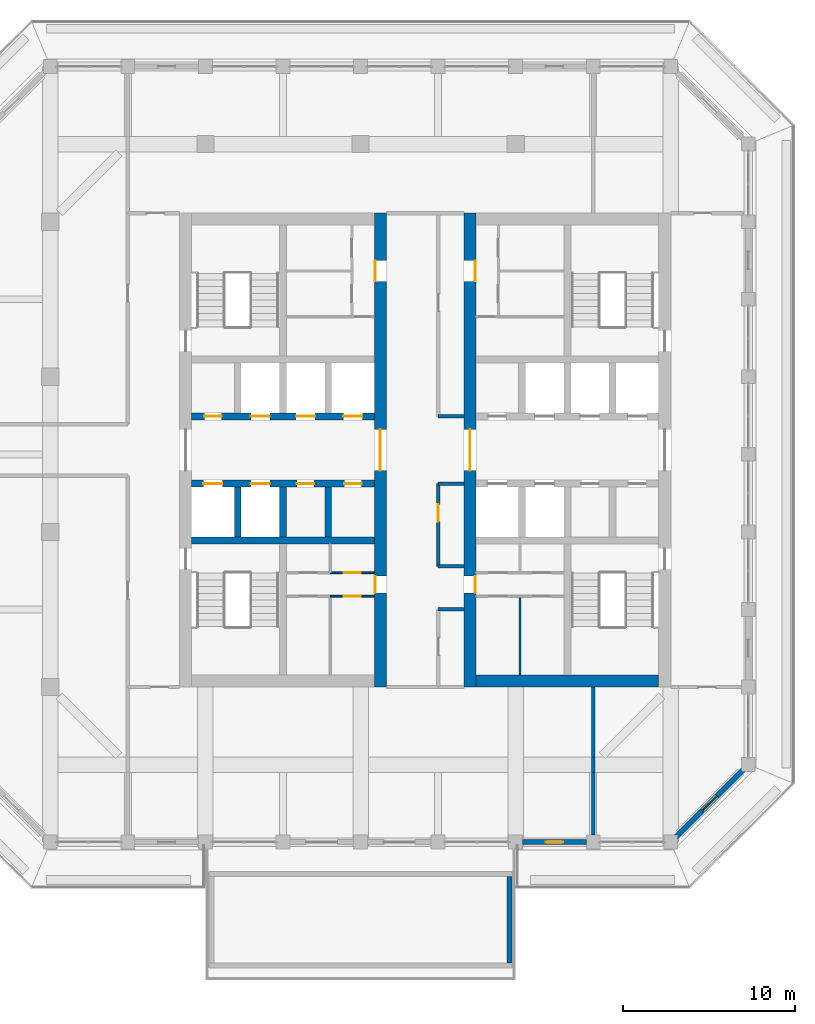
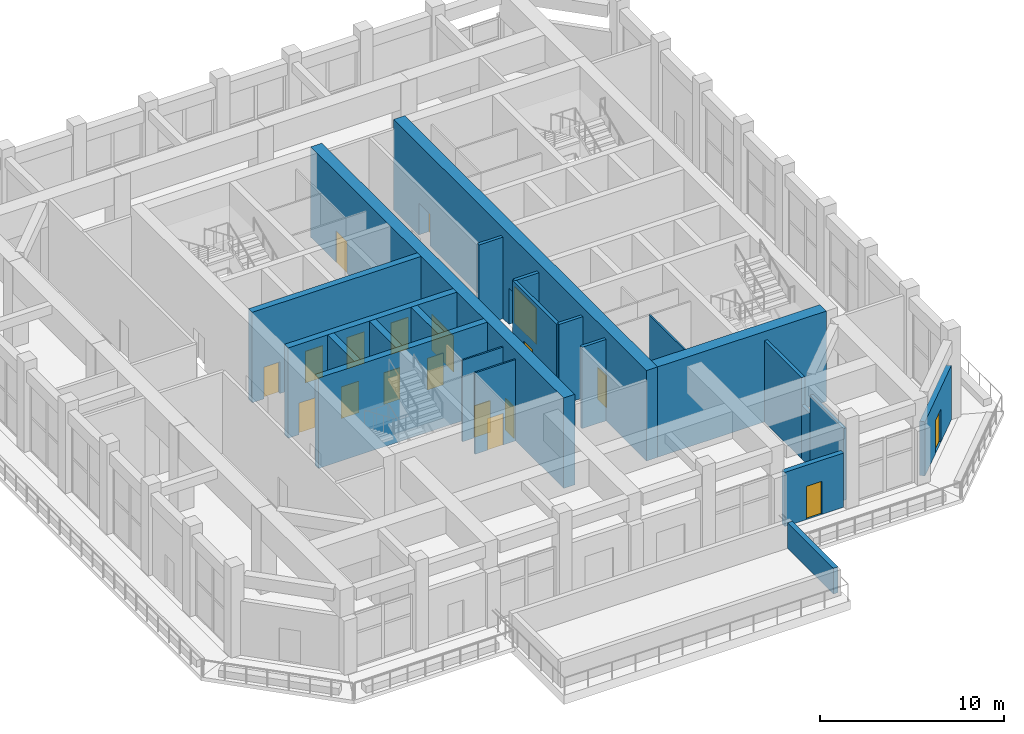
# One storey, part 10 of 20: 23 walls, 19 doors, 19 openings.
"""IFC4 building model written with IfcOpenShell, lengths in metres."""

from ifc_helpers import new_model, si_unit, direction, frame, frame_2d, origin, place, context, subcontext, project, spatial, rectangle, extrude, material, layer, layer_set, type_object, element, fill, save


model = new_model("IFC4")

# Units and contexts
model_context = context("Model", 3, precision=1e-05, world=origin(), true_north=direction((0.0, 1.0)))
body_context = subcontext(model_context, "Body", "Model", "MODEL_VIEW")
ifc_project = project(units=[si_unit("LENGTHUNIT", "METRE"), si_unit("AREAUNIT", "SQUARE_METRE"), si_unit("VOLUMEUNIT", "CUBIC_METRE"), si_unit("PLANEANGLEUNIT", "RADIAN"), si_unit("MASSUNIT", "GRAM", prefix="KILO")], contexts=[model_context])

# Site, building, storey
site_placement = place(None, origin())
site = spatial("IfcSite", under=ifc_project, at=site_placement, CompositionType="ELEMENT")
building_placement = place(site_placement, origin())
building = spatial("IfcBuilding", under=site, at=building_placement, Name="Corbel Stack Research Tower", CompositionType="ELEMENT")
storey_placement = place(building_placement, frame((0.0, 0.0, 295.0)))
storey = spatial("IfcBuildingStorey", under=building, at=storey_placement, Name="L67", CompositionType="ELEMENT", Elevation=295.0)

# Wall
ifc_material_1 = material(Name="Concrete C60/75", Category="concrete")
ifc_layer_1 = layer(ifc_material_1, 0.39990234375)
ifc_layer_set_1 = layer_set([ifc_layer_1], Name="Concrete C60/75")
wall_type_1 = type_object("IfcWallType", Name="CW-400-60", PredefinedType="SHEAR", material=ifc_layer_set_1)
wall_1_placement = place(storey_placement, frame((-9.800048828125, -0.5, 0.0), z_axis=(0.0, 0.0, 1.0), x_axis=(1.0, 0.0, 0.0)))
element("IfcWall", 1, at=wall_1_placement, inside=storey, type_object=wall_type_1, Name="West core wall, south row back L67", PredefinedType="SHEAR", context=body_context, shape_type="SweptSolid", body=[
    extrude(rectangle(XDim=10.60009765625, YDim=0.39990234375, at=frame_2d((5.300048828125, 0.0))), origin(), (0.0, 0.0, 1.0), 6.0),
])

# Wall, openings, doors
wall_2_placement = place(storey_placement, frame((-9.800048828125, 2.800048828125, 0.0), z_axis=(0.0, 0.0, 1.0), x_axis=(1.0, 0.0, 0.0)))
wall_2 = element("IfcWall", 2, at=wall_2_placement, inside=storey, type_object=wall_type_1, Name="West core wall, lobby south L67", PredefinedType="SHEAR", context=body_context, shape_type="SweptSolid", body=[
    extrude(rectangle(XDim=10.60009765625, YDim=0.39990234375, at=frame_2d((5.300048828125, 0.0))), origin(), (0.0, 0.0, 1.0), 6.0),
])
opening_1_placement = place(wall_2_placement, frame((0.6875, 0.0, 0.0)))
opening_1 = element("IfcOpeningElement", 3, at=opening_1_placement, cuts=wall_2, Name="Opening LD-FS1", PredefinedType="OPENING", context=body_context, shape_type="SweptSolid", body=[
    extrude(rectangle(XDim=1.10009765625, YDim=2.10009765625, at=frame_2d((0.550048828125, 1.050048828125))), frame((0.0, 0.2099609375, 0.0), z_axis=(0.0, -1.0, 0.0), x_axis=(1.0, 0.0, 0.0)), (0.0, 0.0, 1.0), 0.419921875),
])
opening_2_placement = place(wall_2_placement, frame((3.4375, 0.0, 0.0)))
opening_2 = element("IfcOpeningElement", 4, at=opening_2_placement, cuts=wall_2, Name="Opening LD-GL1", PredefinedType="OPENING", context=body_context, shape_type="SweptSolid", body=[
    extrude(rectangle(XDim=1.10009765625, YDim=2.10009765625, at=frame_2d((0.550048828125, 1.050048828125))), frame((0.0, 0.2099609375, 0.0), z_axis=(0.0, -1.0, 0.0), x_axis=(1.0, 0.0, 0.0)), (0.0, 0.0, 1.0), 0.419921875),
])
opening_3_placement = place(wall_2_placement, frame((6.112548828125, 0.0, 0.0)))
opening_3 = element("IfcOpeningElement", 5, at=opening_3_placement, cuts=wall_2, Name="Opening CR-W54-S3", PredefinedType="OPENING", context=body_context, shape_type="SweptSolid", body=[
    extrude(rectangle(XDim=1.0, YDim=2.10009765625, at=frame_2d((0.5, 1.050048828125))), frame((0.0, 0.2099609375, 0.0), z_axis=(0.0, -1.0, 0.0), x_axis=(1.0, 0.0, 0.0)), (0.0, 0.0, 1.0), 0.419921875),
])
opening_4_placement = place(wall_2_placement, frame((8.862548828125, 0.0, 0.0)))
opening_4 = element("IfcOpeningElement", 6, at=opening_4_placement, cuts=wall_2, Name="Opening CR-W54-S4", PredefinedType="OPENING", context=body_context, shape_type="SweptSolid", body=[
    extrude(rectangle(XDim=1.0, YDim=2.10009765625, at=frame_2d((0.5, 1.050048828125))), frame((0.0, 0.2099609375, 0.0), z_axis=(0.0, -1.0, 0.0), x_axis=(1.0, 0.0, 0.0)), (0.0, 0.0, 1.0), 0.419921875),
])
ifc_material_2 = material(Name="Stainless steel landing door", Category="steel")
door_type_1 = type_object("IfcDoorType", Name="Lift landing door 1100 x 2100", OperationType="DOUBLE_DOOR_SLIDING", PredefinedType="DOOR", material=ifc_material_2)
door_1_placement = place(opening_1_placement, origin())
door_1 = element("IfcDoor", 7, at=door_1_placement, inside=storey, type_object=door_type_1, Name="Landing door FS1", OperationType="DOUBLE_DOOR_SLIDING", OverallHeight=2.10009765625, OverallWidth=1.10009765625, PredefinedType="DOOR", context=body_context, shape_type="SweptSolid", body=[
    extrude(rectangle(XDim=1.10009765625, YDim=2.10009765625, at=frame_2d((0.550048828125, 1.050048828125))), frame((0.0, 0.02490234375, 0.0), z_axis=(0.0, -1.0, 0.0), x_axis=(1.0, 0.0, 0.0)), (0.0, 0.0, 1.0), 0.050048828125),
])
fill(opening_1, door_1)
door_2_placement = place(opening_2_placement, origin())
door_2 = element("IfcDoor", 8, at=door_2_placement, inside=storey, type_object=door_type_1, Name="Landing door GL1", OperationType="DOUBLE_DOOR_SLIDING", OverallHeight=2.10009765625, OverallWidth=1.10009765625, PredefinedType="DOOR", context=body_context, shape_type="SweptSolid", body=[
    extrude(rectangle(XDim=1.10009765625, YDim=2.10009765625, at=frame_2d((0.550048828125, 1.050048828125))), frame((0.0, 0.02490234375, 0.0), z_axis=(0.0, -1.0, 0.0), x_axis=(1.0, 0.0, 0.0)), (0.0, 0.0, 1.0), 0.050048828125),
])
fill(opening_2, door_2)
ifc_material_3 = material(Name="Painted steel door", Category="steel")
door_type_2 = type_object("IfcDoorType", Name="Service door 1000 x 2100 FD60 left hand", OperationType="SINGLE_SWING_LEFT", PredefinedType="DOOR", material=ifc_material_3)
door_3_placement = place(opening_3_placement, origin())
door_3 = element("IfcDoor", 9, at=door_3_placement, inside=storey, type_object=door_type_2, Name="Laboratory consumables store door W core", OperationType="SINGLE_SWING_LEFT", OverallHeight=2.10009765625, OverallWidth=1.0, PredefinedType="DOOR", context=body_context, shape_type="SweptSolid", body=[
    extrude(rectangle(XDim=1.0, YDim=2.10009765625, at=frame_2d((0.5, 1.050048828125))), frame((0.0, 0.02490234375, 0.0), z_axis=(0.0, -1.0, 0.0), x_axis=(1.0, 0.0, 0.0)), (0.0, 0.0, 1.0), 0.050048828125),
])
fill(opening_3, door_3)
ifc_material_4 = material(Name="Painted steel door", Category="steel")
door_type_3 = type_object("IfcDoorType", Name="Service door 1000 x 2100 FD60 right hand", OperationType="SINGLE_SWING_RIGHT", PredefinedType="DOOR", material=ifc_material_4)
door_4_placement = place(opening_4_placement, origin())
door_4 = element("IfcDoor", 10, at=door_4_placement, inside=storey, type_object=door_type_3, Name="Cleaner's store door W core", OperationType="SINGLE_SWING_RIGHT", OverallHeight=2.10009765625, OverallWidth=1.0, PredefinedType="DOOR", context=body_context, shape_type="SweptSolid", body=[
    extrude(rectangle(XDim=1.0, YDim=2.10009765625, at=frame_2d((0.5, 1.050048828125))), frame((0.0, 0.02490234375, 0.0), z_axis=(0.0, -1.0, 0.0), x_axis=(1.0, 0.0, 0.0)), (0.0, 0.0, 1.0), 0.050048828125),
])
fill(opening_4, door_4)

wall_3_placement = place(storey_placement, frame((-9.800048828125, 6.699951171875, 0.0), z_axis=(0.0, 0.0, 1.0), x_axis=(1.0, 0.0, 0.0)))
wall_3 = element("IfcWall", 11, at=wall_3_placement, inside=storey, type_object=wall_type_1, Name="West core wall, lobby north L67", PredefinedType="SHEAR", context=body_context, shape_type="SweptSolid", body=[
    extrude(rectangle(XDim=10.60009765625, YDim=0.39990234375, at=frame_2d((5.300048828125, 0.0))), origin(), (0.0, 0.0, 1.0), 6.0),
])
opening_5_placement = place(wall_3_placement, frame((3.4375, 0.0, 0.0)))
opening_5 = element("IfcOpeningElement", 12, at=opening_5_placement, cuts=wall_3, Name="Opening LD-HR1", PredefinedType="OPENING", context=body_context, shape_type="SweptSolid", body=[
    extrude(rectangle(XDim=1.10009765625, YDim=2.10009765625, at=frame_2d((0.550048828125, 1.050048828125))), frame((0.0, 0.2099609375, 0.0), z_axis=(0.0, -1.0, 0.0), x_axis=(1.0, 0.0, 0.0)), (0.0, 0.0, 1.0), 0.419921875),
])
opening_6_placement = place(wall_3_placement, frame((6.0625, 0.0, 0.0)))
opening_6 = element("IfcOpeningElement", 13, at=opening_6_placement, cuts=wall_3, Name="Opening LD-HR2", PredefinedType="OPENING", context=body_context, shape_type="SweptSolid", body=[
    extrude(rectangle(XDim=1.10009765625, YDim=2.10009765625, at=frame_2d((0.550048828125, 1.050048828125))), frame((0.0, 0.2099609375, 0.0), z_axis=(0.0, -1.0, 0.0), x_axis=(1.0, 0.0, 0.0)), (0.0, 0.0, 1.0), 0.419921875),
])
opening_7_placement = place(wall_3_placement, frame((8.8125, 0.0, 0.0)))
opening_7 = element("IfcOpeningElement", 14, at=opening_7_placement, cuts=wall_3, Name="Opening LD-HR3", PredefinedType="OPENING", context=body_context, shape_type="SweptSolid", body=[
    extrude(rectangle(XDim=1.10009765625, YDim=2.10009765625, at=frame_2d((0.550048828125, 1.050048828125))), frame((0.0, 0.2099609375, 0.0), z_axis=(0.0, -1.0, 0.0), x_axis=(1.0, 0.0, 0.0)), (0.0, 0.0, 1.0), 0.419921875),
])
opening_8_placement = place(wall_3_placement, frame((0.737548828125, 0.0, 0.0)))
opening_8 = element("IfcOpeningElement", 15, at=opening_8_placement, cuts=wall_3, Name="Opening CR-W54-N1", PredefinedType="OPENING", context=body_context, shape_type="SweptSolid", body=[
    extrude(rectangle(XDim=1.0, YDim=2.10009765625, at=frame_2d((0.5, 1.050048828125))), frame((0.0, 0.2099609375, 0.0), z_axis=(0.0, -1.0, 0.0), x_axis=(1.0, 0.0, 0.0)), (0.0, 0.0, 1.0), 0.419921875),
])
door_5_placement = place(opening_5_placement, origin())
door_5 = element("IfcDoor", 16, at=door_5_placement, inside=storey, type_object=door_type_1, Name="Landing door HR1", OperationType="DOUBLE_DOOR_SLIDING", OverallHeight=2.10009765625, OverallWidth=1.10009765625, PredefinedType="DOOR", context=body_context, shape_type="SweptSolid", body=[
    extrude(rectangle(XDim=1.10009765625, YDim=2.10009765625, at=frame_2d((0.550048828125, 1.050048828125))), frame((0.0, 0.02490234375, 0.0), z_axis=(0.0, -1.0, 0.0), x_axis=(1.0, 0.0, 0.0)), (0.0, 0.0, 1.0), 0.050048828125),
])
fill(opening_5, door_5)
door_6_placement = place(opening_6_placement, origin())
door_6 = element("IfcDoor", 17, at=door_6_placement, inside=storey, type_object=door_type_1, Name="Landing door HR2", OperationType="DOUBLE_DOOR_SLIDING", OverallHeight=2.10009765625, OverallWidth=1.10009765625, PredefinedType="DOOR", context=body_context, shape_type="SweptSolid", body=[
    extrude(rectangle(XDim=1.10009765625, YDim=2.10009765625, at=frame_2d((0.550048828125, 1.050048828125))), frame((0.0, 0.02490234375, 0.0), z_axis=(0.0, -1.0, 0.0), x_axis=(1.0, 0.0, 0.0)), (0.0, 0.0, 1.0), 0.050048828125),
])
fill(opening_6, door_6)
door_7_placement = place(opening_7_placement, origin())
door_7 = element("IfcDoor", 18, at=door_7_placement, inside=storey, type_object=door_type_1, Name="Landing door HR3", OperationType="DOUBLE_DOOR_SLIDING", OverallHeight=2.10009765625, OverallWidth=1.10009765625, PredefinedType="DOOR", context=body_context, shape_type="SweptSolid", body=[
    extrude(rectangle(XDim=1.10009765625, YDim=2.10009765625, at=frame_2d((0.550048828125, 1.050048828125))), frame((0.0, 0.02490234375, 0.0), z_axis=(0.0, -1.0, 0.0), x_axis=(1.0, 0.0, 0.0)), (0.0, 0.0, 1.0), 0.050048828125),
])
fill(opening_7, door_7)
door_8_placement = place(opening_8_placement, origin())
door_8 = element("IfcDoor", 19, at=door_8_placement, inside=storey, type_object=door_type_2, Name="Vending bay door W core", OperationType="SINGLE_SWING_LEFT", OverallHeight=2.10009765625, OverallWidth=1.0, PredefinedType="DOOR", context=body_context, shape_type="SweptSolid", body=[
    extrude(rectangle(XDim=1.0, YDim=2.10009765625, at=frame_2d((0.5, 1.050048828125))), frame((0.0, 0.02490234375, 0.0), z_axis=(0.0, -1.0, 0.0), x_axis=(1.0, 0.0, 0.0)), (0.0, 0.0, 1.0), 0.050048828125),
])
fill(opening_8, door_8)

# Walls
for number, where, z_axis, x_axis, name in (
    (20, (-7.125, -0.300048828125, 0.0), (0.0, 0.0, 1.0), (0.0, 1.0, 0.0), "West core wall, south shaft 1 L67"),
    (21, (-4.5, -0.300048828125, 0.0), (0.0, 0.0, 1.0), (0.0, 1.0, 0.0), "West core wall, south shaft 2 L67"),
    (22, (-1.875, -0.300048828125, 0.0), (0.0, 0.0, 1.0), (0.0, 1.0, 0.0), "West core wall, south shaft 3 L67"),
):
    element("IfcWall", number, at=place(storey_placement, frame(where, z_axis=z_axis, x_axis=x_axis)), inside=storey, type_object=wall_type_1, Name=name, PredefinedType="SHEAR", context=body_context, shape_type="SweptSolid", body=[
        extrude(rectangle(XDim=2.900146484375, YDim=0.39990234375, at=frame_2d((1.4501953125, 0.0))), origin(), (0.0, 0.0, 1.0), 6.0),
    ])

# Wall, openings, doors
ifc_material_5 = material(Name="Concrete C60/75", Category="concrete")
ifc_layer_2 = layer(ifc_material_5, 0.699951171875)
ifc_layer_set_2 = layer_set([ifc_layer_2], Name="Concrete C60/75")
wall_type_2 = type_object("IfcWallType", Name="CW-700-60", PredefinedType="SHEAR", material=ifc_layer_set_2)
wall_4_placement = place(storey_placement, frame((1.14990234375, -9.0, 0.0), z_axis=(0.0, 0.0, 1.0), x_axis=(0.0, 1.0, 0.0)))
wall_4 = element("IfcWall", 23, at=wall_4_placement, inside=storey, type_object=wall_type_2, Name="West core wall, east face L67", PredefinedType="SHEAR", context=body_context, shape_type="SweptSolid", body=[
    extrude(rectangle(XDim=27.5, YDim=0.699951171875, at=frame_2d((13.75, 0.0))), origin(), (0.0, 0.0, 1.0), 6.0),
])
opening_9_placement = place(wall_4_placement, frame((12.550048828125, 0.0, 0.0)))
opening_9 = element("IfcOpeningElement", 24, at=opening_9_placement, cuts=wall_4, Name="Opening CD-W-E", PredefinedType="OPENING", context=body_context, shape_type="SweptSolid", body=[
    extrude(rectangle(XDim=2.39990234375, YDim=2.39990234375, at=frame_2d((1.199951171875, 1.199951171875))), frame((0.0, 0.35986328125, 0.0), z_axis=(0.0, -1.0, 0.0), x_axis=(1.0, 0.0, 0.0)), (0.0, 0.0, 1.0), 0.719970703125),
])
opening_10_placement = place(wall_4_placement, frame((5.4599609375, 0.0, 0.0)))
opening_10 = element("IfcOpeningElement", 25, at=opening_10_placement, cuts=wall_4, Name="Opening CR-W54-W1-968", PredefinedType="OPENING", context=body_context, shape_type="SweptSolid", body=[
    extrude(rectangle(XDim=0.968017578125, YDim=2.10009765625, at=frame_2d((0.48388671875, 1.050048828125))), frame((0.0, 0.35986328125, 0.0), z_axis=(0.0, -1.0, 0.0), x_axis=(1.0, 0.0, 0.0)), (0.0, 0.0, 1.0), 0.719970703125),
])
opening_11_placement = place(wall_4_placement, frame((23.5400390625, 0.0, 0.0)))
opening_11 = element("IfcOpeningElement", 26, at=opening_11_placement, cuts=wall_4, Name="Opening CR-W54-R2-1200", PredefinedType="OPENING", context=body_context, shape_type="SweptSolid", body=[
    extrude(rectangle(XDim=1.199951171875, YDim=2.10009765625, at=frame_2d((0.60009765625, 1.050048828125))), frame((0.0, 0.35986328125, 0.0), z_axis=(0.0, -1.0, 0.0), x_axis=(1.0, 0.0, 0.0)), (0.0, 0.0, 1.0), 0.719970703125),
])
ifc_material_6 = material(Name="Painted steel fire door", Category="steel")
door_type_4 = type_object("IfcDoorType", Name="Lobby door pair 2400 x 2400 FD30S", OperationType="DOUBLE_DOOR_DOUBLE_SWING", PredefinedType="DOOR", material=ifc_material_6)
door_9_placement = place(opening_9_placement, origin())
door_9 = element("IfcDoor", 27, at=door_9_placement, inside=storey, type_object=door_type_4, Name="Lift lobby door W core E", OperationType="DOUBLE_DOOR_DOUBLE_SWING", OverallHeight=2.39990234375, OverallWidth=2.39990234375, PredefinedType="DOOR", context=body_context, shape_type="SweptSolid", body=[
    extrude(rectangle(XDim=2.39990234375, YDim=2.39990234375, at=frame_2d((1.199951171875, 1.199951171875))), frame((0.0, 0.02490234375, 0.0), z_axis=(0.0, -1.0, 0.0), x_axis=(1.0, 0.0, 0.0)), (0.0, 0.0, 1.0), 0.050048828125),
])
fill(opening_9, door_9)
ifc_material_7 = material(Name="Painted steel door", Category="steel")
door_type_5 = type_object("IfcDoorType", Name="Service door 1200 x 2100 FD30 right hand", OperationType="SINGLE_SWING_RIGHT", PredefinedType="DOOR", material=ifc_material_7)
door_10_placement = place(opening_11_placement, origin())
door_10 = element("IfcDoor", 28, at=door_10_placement, inside=storey, type_object=door_type_5, Name="Service passage door W core", OperationType="SINGLE_SWING_RIGHT", OverallHeight=2.10009765625, OverallWidth=1.199951171875, PredefinedType="DOOR", context=body_context, shape_type="SweptSolid", body=[
    extrude(rectangle(XDim=1.199951171875, YDim=2.10009765625, at=frame_2d((0.60009765625, 1.050048828125))), frame((0.0, 0.3251953125, 0.0), z_axis=(0.0, -1.0, 0.0), x_axis=(1.0, 0.0, 0.0)), (0.0, 0.0, 1.0), 0.050048828125),
])
fill(opening_11, door_10)
ifc_material_8 = material(Name="Painted timber door", Category="wood")
door_type_6 = type_object("IfcDoorType", Name="WC door 968 x 2100 left hand", OperationType="SINGLE_SWING_LEFT", PredefinedType="DOOR", material=ifc_material_8)
door_11_placement = place(opening_10_placement, origin())
door_11 = element("IfcDoor", 29, at=door_11_placement, inside=storey, type_object=door_type_6, Name="WC lobby door W core", OperationType="SINGLE_SWING_LEFT", OverallHeight=2.10009765625, OverallWidth=0.968017578125, PredefinedType="DOOR", context=body_context, shape_type="SweptSolid", body=[
    extrude(rectangle(XDim=0.968017578125, YDim=2.10009765625, at=frame_2d((0.48388671875, 1.050048828125))), frame((0.0, 0.3251953125, 0.0), z_axis=(0.0, -1.0, 0.0), x_axis=(1.0, 0.0, 0.0)), (0.0, 0.0, 1.0), 0.050048828125),
])
fill(opening_10, door_11)

wall_5_placement = place(storey_placement, frame((6.35009765625, -9.0, 0.0), z_axis=(0.0, 0.0, 1.0), x_axis=(0.0, 1.0, 0.0)))
wall_5 = element("IfcWall", 30, at=wall_5_placement, inside=storey, type_object=wall_type_2, Name="East core wall, west face L67", PredefinedType="SHEAR", context=body_context, shape_type="SweptSolid", body=[
    extrude(rectangle(XDim=27.5, YDim=0.699951171875, at=frame_2d((13.75, 0.0))), origin(), (0.0, 0.0, 1.0), 6.0),
])
opening_12_placement = place(wall_5_placement, frame((12.550048828125, 0.0, 0.0)))
opening_12 = element("IfcOpeningElement", 31, at=opening_12_placement, cuts=wall_5, Name="Opening CD-E-W", PredefinedType="OPENING", context=body_context, shape_type="SweptSolid", body=[
    extrude(rectangle(XDim=2.39990234375, YDim=2.39990234375, at=frame_2d((1.199951171875, 1.199951171875))), frame((0.0, 0.35986328125, 0.0), z_axis=(0.0, -1.0, 0.0), x_axis=(1.0, 0.0, 0.0)), (0.0, 0.0, 1.0), 0.719970703125),
])
opening_13_placement = place(wall_5_placement, frame((5.4599609375, 0.0, 0.0)))
opening_13 = element("IfcOpeningElement", 32, at=opening_13_placement, cuts=wall_5, Name="Opening CR-E54-W1-968", PredefinedType="OPENING", context=body_context, shape_type="SweptSolid", body=[
    extrude(rectangle(XDim=0.968017578125, YDim=2.10009765625, at=frame_2d((0.48388671875, 1.050048828125))), frame((0.0, 0.35986328125, 0.0), z_axis=(0.0, -1.0, 0.0), x_axis=(1.0, 0.0, 0.0)), (0.0, 0.0, 1.0), 0.719970703125),
])
opening_14_placement = place(wall_5_placement, frame((23.5400390625, 0.0, 0.0)))
opening_14 = element("IfcOpeningElement", 33, at=opening_14_placement, cuts=wall_5, Name="Opening CR-E54-R2-1200", PredefinedType="OPENING", context=body_context, shape_type="SweptSolid", body=[
    extrude(rectangle(XDim=1.199951171875, YDim=2.10009765625, at=frame_2d((0.60009765625, 1.050048828125))), frame((0.0, 0.35986328125, 0.0), z_axis=(0.0, -1.0, 0.0), x_axis=(1.0, 0.0, 0.0)), (0.0, 0.0, 1.0), 0.719970703125),
])
door_12_placement = place(opening_12_placement, origin())
door_12 = element("IfcDoor", 34, at=door_12_placement, inside=storey, type_object=door_type_4, Name="Lift lobby door E core W", OperationType="DOUBLE_DOOR_DOUBLE_SWING", OverallHeight=2.39990234375, OverallWidth=2.39990234375, PredefinedType="DOOR", context=body_context, shape_type="SweptSolid", body=[
    extrude(rectangle(XDim=2.39990234375, YDim=2.39990234375, at=frame_2d((1.199951171875, 1.199951171875))), frame((0.0, 0.02490234375, 0.0), z_axis=(0.0, -1.0, 0.0), x_axis=(1.0, 0.0, 0.0)), (0.0, 0.0, 1.0), 0.050048828125),
])
fill(opening_12, door_12)
ifc_material_9 = material(Name="Painted steel door", Category="steel")
door_type_7 = type_object("IfcDoorType", Name="Service door 1200 x 2100 FD30 left hand", OperationType="SINGLE_SWING_LEFT", PredefinedType="DOOR", material=ifc_material_9)
door_13_placement = place(opening_14_placement, origin())
door_13 = element("IfcDoor", 35, at=door_13_placement, inside=storey, type_object=door_type_7, Name="Service passage door E core", OperationType="SINGLE_SWING_LEFT", OverallHeight=2.10009765625, OverallWidth=1.199951171875, PredefinedType="DOOR", context=body_context, shape_type="SweptSolid", body=[
    extrude(rectangle(XDim=1.199951171875, YDim=2.10009765625, at=frame_2d((0.60009765625, 1.050048828125))), frame((0.0, -0.27490234375, 0.0), z_axis=(0.0, -1.0, 0.0), x_axis=(1.0, 0.0, 0.0)), (0.0, 0.0, 1.0), 0.050048828125),
])
fill(opening_14, door_13)
ifc_material_10 = material(Name="Painted timber door", Category="wood")
door_type_8 = type_object("IfcDoorType", Name="WC door 968 x 2100 right hand", OperationType="SINGLE_SWING_RIGHT", PredefinedType="DOOR", material=ifc_material_10)
door_14_placement = place(opening_13_placement, origin())
door_14 = element("IfcDoor", 36, at=door_14_placement, inside=storey, type_object=door_type_8, Name="WC lobby door E core", OperationType="SINGLE_SWING_RIGHT", OverallHeight=2.10009765625, OverallWidth=0.968017578125, PredefinedType="DOOR", context=body_context, shape_type="SweptSolid", body=[
    extrude(rectangle(XDim=0.968017578125, YDim=2.10009765625, at=frame_2d((0.48388671875, 1.050048828125))), frame((0.0, -0.27490234375, 0.0), z_axis=(0.0, -1.0, 0.0), x_axis=(1.0, 0.0, 0.0)), (0.0, 0.0, 1.0), 0.050048828125),
])
fill(opening_13, door_14)

# Wall
wall_6_placement = place(storey_placement, frame((6.699951171875, -8.64990234375, 0.0), z_axis=(0.0, 0.0, 1.0), x_axis=(1.0, 0.0, 0.0)))
element("IfcWall", 37, at=wall_6_placement, inside=storey, type_object=wall_type_2, Name="East core wall, south end L67", PredefinedType="SHEAR", context=body_context, shape_type="SweptSolid", body=[
    extrude(rectangle(XDim=10.60009765625, YDim=0.699951171875, at=frame_2d((5.300048828125, 0.0))), origin(), (0.0, 0.0, 1.0), 6.0),
])

# Wall, opening, door
ifc_material_11 = material(Name="Gypsum board")
ifc_layer_3 = layer(ifc_material_11, 0.10009765625)
ifc_layer_set_3 = layer_set([ifc_layer_3], Name="Gypsum board")
wall_type_3 = type_object("IfcWallType", Name="Core partition 100", PredefinedType="PARTITIONING", material=ifc_layer_set_3)
wall_7_placement = place(storey_placement, frame((-1.75, -3.739990234375, 0.0), z_axis=(0.0, 0.0, 1.0), x_axis=(1.0, 0.0, 0.0)))
wall_7 = element("IfcWall", 38, at=wall_7_placement, inside=storey, type_object=wall_type_3, Name="Core partition W", PredefinedType="PARTITIONING", context=body_context, shape_type="SweptSolid", body=[
    extrude(rectangle(XDim=2.550048828125, YDim=0.10009765625, at=frame_2d((1.27490234375, 0.0))), origin(), (0.0, 0.0, 1.0), 5.39990234375),
])
opening_15_placement = place(wall_7_placement, frame((0.77490234375, 0.0, 0.0)))
opening_15 = element("IfcOpeningElement", 39, at=opening_15_placement, cuts=wall_7, Name="Opening CR-W54-W2-1000", PredefinedType="OPENING", context=body_context, shape_type="SweptSolid", body=[
    extrude(rectangle(XDim=1.0, YDim=2.10009765625, at=frame_2d((0.5, 1.050048828125))), frame((0.0, 0.06005859375, 0.0), z_axis=(0.0, -1.0, 0.0), x_axis=(1.0, 0.0, 0.0)), (0.0, 0.0, 1.0), 0.1201171875),
])
ifc_material_12 = material(Name="Painted timber door", Category="wood")
door_type_9 = type_object("IfcDoorType", Name="WC door 1000 x 2100 right hand", OperationType="SINGLE_SWING_RIGHT", PredefinedType="DOOR", material=ifc_material_12)
door_15_placement = place(opening_15_placement, origin())
door_15 = element("IfcDoor", 40, at=door_15_placement, inside=storey, type_object=door_type_9, Name="Women's WC door W core", OperationType="SINGLE_SWING_RIGHT", OverallHeight=2.10009765625, OverallWidth=1.0, PredefinedType="DOOR", context=body_context, shape_type="SweptSolid", body=[
    extrude(rectangle(XDim=1.0, YDim=2.10009765625, at=frame_2d((0.5, 1.050048828125))), frame((0.0, 0.02490234375, 0.0), z_axis=(0.0, -1.0, 0.0), x_axis=(1.0, 0.0, 0.0)), (0.0, 0.0, 1.0), 0.050048828125),
])
fill(opening_15, door_15)

wall_8_placement = place(storey_placement, frame((-1.75, -2.3720703125, 0.0), z_axis=(0.0, 0.0, 1.0), x_axis=(1.0, 0.0, 0.0)))
wall_8 = element("IfcWall", 41, at=wall_8_placement, inside=storey, type_object=wall_type_3, Name="Core partition W", PredefinedType="PARTITIONING", context=body_context, shape_type="SweptSolid", body=[
    extrude(rectangle(XDim=2.550048828125, YDim=0.10009765625, at=frame_2d((1.27490234375, 0.0))), origin(), (0.0, 0.0, 1.0), 5.39990234375),
])
opening_16_placement = place(wall_8_placement, frame((0.77490234375, 0.0, 0.0)))
opening_16 = element("IfcOpeningElement", 42, at=opening_16_placement, cuts=wall_8, Name="Opening CR-W54-W4-1000", PredefinedType="OPENING", context=body_context, shape_type="SweptSolid", body=[
    extrude(rectangle(XDim=1.0, YDim=2.10009765625, at=frame_2d((0.5, 1.050048828125))), frame((0.0, 0.06005859375, 0.0), z_axis=(0.0, -1.0, 0.0), x_axis=(1.0, 0.0, 0.0)), (0.0, 0.0, 1.0), 0.1201171875),
])
door_16_placement = place(opening_16_placement, origin())
door_16 = element("IfcDoor", 43, at=door_16_placement, inside=storey, type_object=door_type_9, Name="Accessible WC door W core", OperationType="SINGLE_SWING_RIGHT", OverallHeight=2.10009765625, OverallWidth=1.0, PredefinedType="DOOR", context=body_context, shape_type="SweptSolid", body=[
    extrude(rectangle(XDim=1.0, YDim=2.10009765625, at=frame_2d((0.5, 1.050048828125))), frame((0.0, 0.02490234375, 0.0), z_axis=(0.0, -1.0, 0.0), x_axis=(1.0, 0.0, 0.0)), (0.0, 0.0, 1.0), 0.050048828125),
])
fill(opening_16, door_16)

# Wall
wall_9_placement = place(storey_placement, frame((9.25, -8.300048828125, 0.0), z_axis=(0.0, 0.0, 1.0), x_axis=(0.0, 1.0, 0.0)))
element("IfcWall", 44, at=wall_9_placement, inside=storey, type_object=wall_type_3, Name="Core partition E", PredefinedType="PARTITIONING", context=body_context, shape_type="SweptSolid", body=[
    extrude(rectangle(XDim=4.56005859375, YDim=0.10009765625, at=frame_2d((2.280029296875, 0.0))), origin(), (0.0, 0.0, 1.0), 5.39990234375),
])

# Wall, opening, door
ifc_material_13 = material(Name="Fire-rated gypsum board partition on steel studs", Category="steel")
ifc_layer_4 = layer(ifc_material_13, 0.199951171875)
ifc_layer_set_4 = layer_set([ifc_layer_4], Name="Fire-rated gypsum board partition on steel studs")
wall_type_4 = type_object("IfcWallType", Name="Fire-rated partition 200 EI 60", PredefinedType="PARTITIONING", material=ifc_layer_set_4)
wall_10_placement = place(storey_placement, frame((4.5, 2.800048828125, 0.0), z_axis=(0.0, 0.0, 1.0), x_axis=(0.0, -1.0, 0.0)))
wall_10 = element("IfcWall", 45, at=wall_10_placement, inside=storey, type_object=wall_type_4, Name="Partition L67-008", PredefinedType="PARTITIONING", context=body_context, shape_type="SweptSolid", body=[
    extrude(rectangle(XDim=4.800048828125, YDim=0.199951171875, at=frame_2d((2.39990234375, 0.0))), origin(), (0.0, 0.0, 1.0), 5.39990234375),
])
opening_17_placement = place(wall_10_placement, frame((1.199951171875, 0.0, 0.0)))
opening_17 = element("IfcOpeningElement", 46, at=opening_17_placement, cuts=wall_10, Name="Opening B8AM-006", PredefinedType="OPENING", context=body_context, shape_type="SweptSolid", body=[
    extrude(rectangle(XDim=1.0, YDim=2.10009765625, at=frame_2d((0.5, 1.050048828125))), frame((0.0, 0.10986328125, 0.0), z_axis=(0.0, -1.0, 0.0), x_axis=(1.0, 0.0, 0.0)), (0.0, 0.0, 1.0), 0.219970703125),
])
ifc_material_14 = material(Name="Painted steel fire door", Category="steel")
door_type_10 = type_object("IfcDoorType", Name="Fire door FD30S 1000 x 2100", OperationType="NOTDEFINED", PredefinedType="DOOR", material=ifc_material_14)
door_17_placement = place(opening_17_placement, origin())
door_17 = element("IfcDoor", 47, at=door_17_placement, inside=storey, type_object=door_type_10, Name="Door B8AM-006", OperationType="SINGLE_SWING_LEFT", OverallHeight=2.10009765625, OverallWidth=1.0, PredefinedType="DOOR", context=body_context, shape_type="SweptSolid", body=[
    extrude(rectangle(XDim=1.0, YDim=2.10009765625, at=frame_2d((0.5, 1.050048828125))), frame((0.0, 0.02490234375, 0.0), z_axis=(0.0, -1.0, 0.0), x_axis=(1.0, 0.0, 0.0)), (0.0, 0.0, 1.0), 0.050048828125),
])
fill(opening_17, door_17)

# Walls
wall_11_placement = place(storey_placement, frame((13.5, -17.60009765625, 0.0), z_axis=(0.0, 0.0, 1.0), x_axis=(0.0, 1.0, 0.0)))
element("IfcWall", 48, at=wall_11_placement, inside=storey, type_object=wall_type_4, Name="Partition L67-010", PredefinedType="PARTITIONING", context=body_context, shape_type="SweptSolid", body=[
    extrude(rectangle(XDim=3.650146484375, YDim=0.199951171875, at=frame_2d((1.8251953125, 0.0))), origin(), (0.0, 0.0, 1.0), 4.77001953125),
])
wall_12_placement = place(storey_placement, frame((13.5, -13.949951171875, 0.0), z_axis=(0.0, 0.0, 1.0), x_axis=(0.0, 1.0, 0.0)))
element("IfcWall", 49, at=wall_12_placement, inside=storey, type_object=wall_type_4, Name="Partition L67-011", PredefinedType="PARTITIONING", context=body_context, shape_type="SweptSolid", body=[
    extrude(rectangle(XDim=0.89990234375, YDim=0.199951171875, at=frame_2d((0.449951171875, 0.0))), origin(), (0.0, 0.0, 1.0), 3.570068359375),
])
wall_13_placement = place(storey_placement, frame((13.5, -13.050048828125, 0.0), z_axis=(0.0, 0.0, 1.0), x_axis=(0.0, 1.0, 0.0)))
element("IfcWall", 50, at=wall_13_placement, inside=storey, type_object=wall_type_4, Name="Partition L67-012", PredefinedType="PARTITIONING", context=body_context, shape_type="SweptSolid", body=[
    extrude(rectangle(XDim=4.050048828125, YDim=0.199951171875, at=frame_2d((2.02490234375, 0.0))), origin(), (0.0, 0.0, 1.0), 5.39990234375),
])
for number, where, z_axis, x_axis, name in (
    (51, (4.5, -4.5, 0.0), (0.0, 0.0, 1.0), (1.0, 0.0, 0.0), "Partition L67-020"),
    (52, (4.5, -2.0, 0.0), (0.0, 0.0, 1.0), (1.0, 0.0, 0.0), "Partition L67-021"),
    (53, (4.5, 2.800048828125, 0.0), (0.0, 0.0, 1.0), (1.0, 0.0, 0.0), "Partition L67-022"),
    (54, (4.5, 6.699951171875, 0.0), (0.0, 0.0, 1.0), (1.0, 0.0, 0.0), "Partition L67-029"),
):
    element("IfcWall", number, at=place(storey_placement, frame(where, z_axis=z_axis, x_axis=x_axis)), inside=storey, type_object=wall_type_4, Name=name, PredefinedType="PARTITIONING", context=body_context, shape_type="SweptSolid", body=[
        extrude(rectangle(XDim=1.5, YDim=0.199951171875, at=frame_2d((0.75, 0.0))), origin(), (0.0, 0.0, 1.0), 5.39990234375),
    ])
ifc_material_15 = material(Name="Concrete C45/55", Category="concrete")
ifc_layer_5 = layer(ifc_material_15, 0.300048828125)
ifc_layer_set_5 = layer_set([ifc_layer_5], Name="Concrete C45/55")
wall_type_5 = type_object("IfcWallType", Name="Pool basin wall 300 C45/55", PredefinedType="SOLIDWALL", material=ifc_layer_set_5)
wall_14_placement = place(storey_placement, frame((8.64990234375, -25.0, 0.0), z_axis=(0.0, 0.0, 1.0), x_axis=(0.0, 1.0, 0.0)))
element("IfcWall", 55, at=wall_14_placement, inside=storey, type_object=wall_type_5, Name="Pool basin wall E", PredefinedType="SOLIDWALL", context=body_context, shape_type="SweptSolid", body=[
    extrude(rectangle(XDim=5.0, YDim=0.300048828125, at=frame_2d((2.5, 0.0))), origin(), (0.0, 0.0, 1.0), 1.699951171875),
])

# Wall, opening, door
ifc_material_16 = material(Name="Concrete C45/55", Category="concrete")
ifc_layer_6 = layer(ifc_material_16, 0.300048828125)
ifc_layer_set_6 = layer_set([ifc_layer_6], Name="Concrete C45/55")
wall_type_6 = type_object("IfcWallType", Name="Terracotta-faced concrete wall 300", PredefinedType="SOLIDWALL", material=ifc_layer_set_6)
wall_15_placement = place(storey_placement, frame((13.10009765625, -18.0, 0.0), z_axis=(0.0, 0.0, 1.0), x_axis=(-1.0, 0.0, 0.0)))
wall_15 = element("IfcWall", 56, at=wall_15_placement, inside=storey, type_object=wall_type_6, Name="Facade wall L67 S07", PredefinedType="SOLIDWALL", context=body_context, shape_type="SweptSolid", body=[
    extrude(rectangle(XDim=3.7001953125, YDim=0.300048828125, at=frame_2d((1.85009765625, 0.0))), origin(), (0.0, 0.0, 1.0), 3.60009765625),
])
opening_18_placement = place(wall_15_placement, frame((1.35009765625, 0.0, 0.0)))
opening_18 = element("IfcOpeningElement", 57, at=opening_18_placement, cuts=wall_15, Name="Opening L67-B04", PredefinedType="OPENING", context=body_context, shape_type="SweptSolid", body=[
    extrude(rectangle(XDim=1.0, YDim=2.199951171875, at=frame_2d((0.5, 1.10009765625))), frame((0.0, 0.159912109375, 0.0), z_axis=(0.0, -1.0, 0.0), x_axis=(1.0, 0.0, 0.0)), (0.0, 0.0, 1.0), 0.320068359375),
])
ifc_material_17 = material(Name="Aluminium frame, clear double glazing", Category="aluminium")
door_type_11 = type_object("IfcDoorType", Name="Balcony door BD1 1000 x 2200", OperationType="NOTDEFINED", PredefinedType="DOOR", material=ifc_material_17)
door_18_placement = place(opening_18_placement, origin())
door_18 = element("IfcDoor", 58, at=door_18_placement, inside=storey, type_object=door_type_11, Name="Balcony door L67-B04", OperationType="SINGLE_SWING_RIGHT", OverallHeight=2.199951171875, OverallWidth=1.0, PredefinedType="DOOR", context=body_context, shape_type="SweptSolid", body=[
    extrude(rectangle(XDim=1.0, YDim=2.199951171875, at=frame_2d((0.5, 1.10009765625))), frame((0.0, 0.02490234375, 0.0), z_axis=(0.0, -1.0, 0.0), x_axis=(1.0, 0.0, 0.0)), (0.0, 0.0, 1.0), 0.050048828125),
])
fill(opening_18, door_18)

wall_16_placement = place(storey_placement, frame((22.2060546875, -13.7939453125, 0.0), z_axis=(0.0, 0.0, 1.0), x_axis=(-0.707106781187, -0.707106781187, 0.0)))
wall_16 = element("IfcWall", 59, at=wall_16_placement, inside=storey, type_object=wall_type_6, Name="Facade wall L67 SE01", PredefinedType="SOLIDWALL", context=body_context, shape_type="SweptSolid", body=[
    extrude(rectangle(XDim=5.532470703125, YDim=0.300048828125, at=frame_2d((2.76611328125, 0.0))), origin(), (0.0, 0.0, 1.0), 3.60009765625),
])
opening_19_placement = place(wall_16_placement, frame((2.166259765625, 0.0, 0.0)))
opening_19 = element("IfcOpeningElement", 60, at=opening_19_placement, cuts=wall_16, Name="Opening L67-B05", PredefinedType="OPENING", context=body_context, shape_type="SweptSolid", body=[
    extrude(rectangle(XDim=1.199951171875, YDim=2.199951171875, at=frame_2d((0.60009765625, 1.10009765625))), frame((0.0, 0.159912109375, 0.0), z_axis=(0.0, -1.0, 0.0), x_axis=(1.0, 0.0, 0.0)), (0.0, 0.0, 1.0), 0.320068359375),
])
ifc_material_18 = material(Name="Aluminium frame, clear double glazing", Category="aluminium")
door_type_12 = type_object("IfcDoorType", Name="Balcony door BD2 1200 x 2200", OperationType="NOTDEFINED", PredefinedType="DOOR", material=ifc_material_18)
door_19_placement = place(opening_19_placement, origin())
door_19 = element("IfcDoor", 61, at=door_19_placement, inside=storey, type_object=door_type_12, Name="Balcony door L67-B05", OperationType="SINGLE_SWING_RIGHT", OverallHeight=2.199951171875, OverallWidth=1.199951171875, PredefinedType="DOOR", context=body_context, shape_type="SweptSolid", body=[
    extrude(rectangle(XDim=1.199951171875, YDim=2.199951171875, at=frame_2d((0.60009765625, 1.10009765625))), frame((0.0, 0.02490234375, 0.0), z_axis=(0.0, -1.0, 0.0), x_axis=(1.0, 0.0, 0.0)), (0.0, 0.0, 1.0), 0.050048828125),
])
fill(opening_19, door_19)

save(model, "model.ifc")
